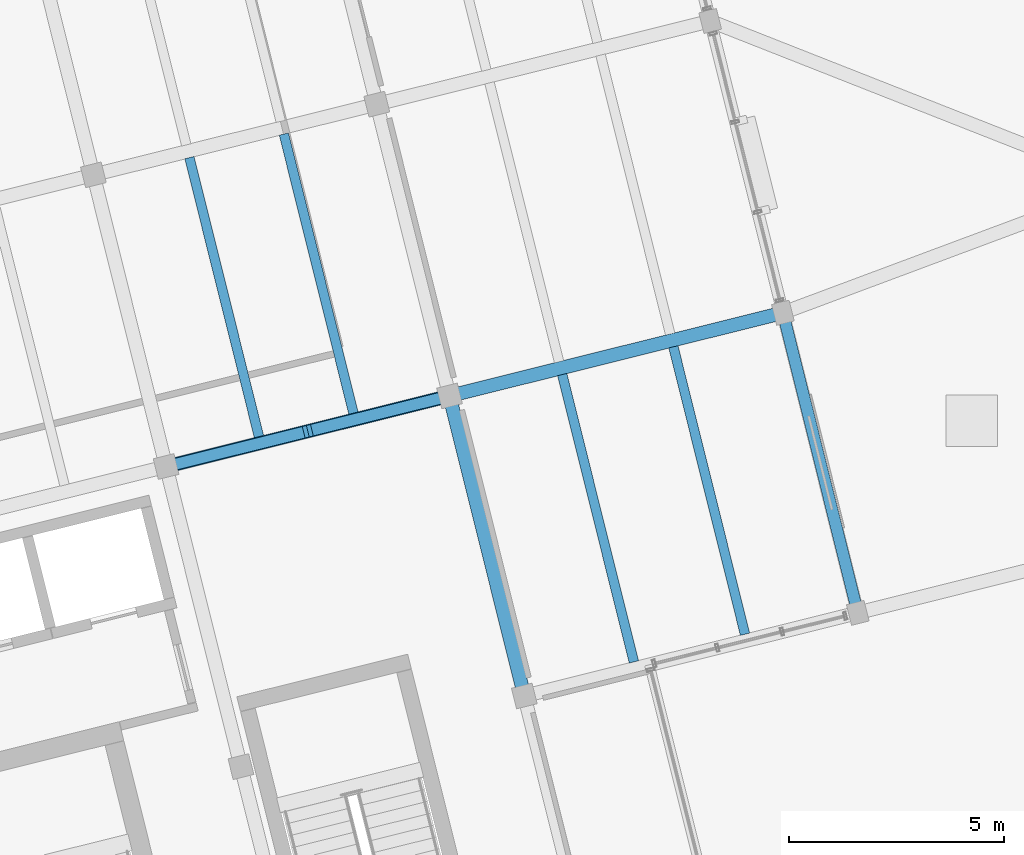
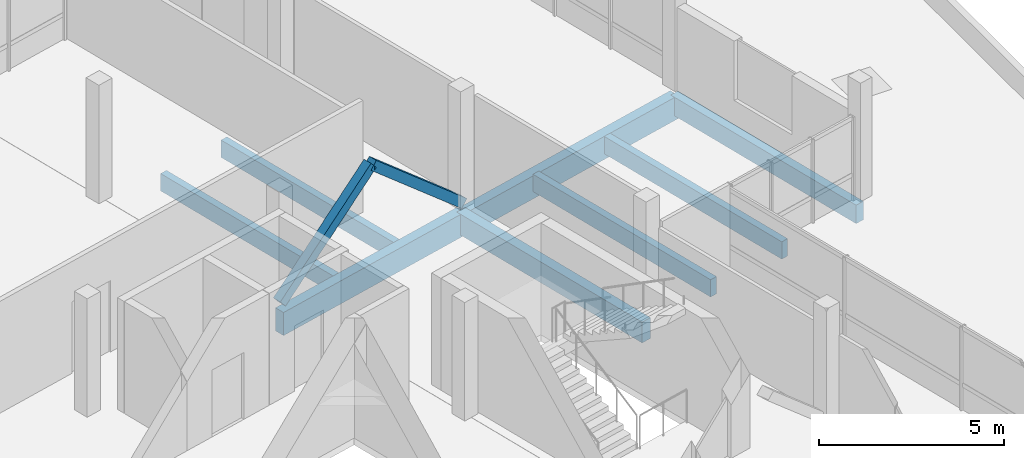
# One storey, part 17 of 37: 8 beams, 2 members.
"""IFC4 building model written with IfcOpenShell, lengths in metres."""

from ifc_helpers import new_model, si_unit, direction, frame, origin, origin_2d, place, context, subcontext, project, spatial, rectangle, extrude, material, material_profile, profile_set, type_object, element, save


model = new_model("IFC4")

# Units and contexts
model_context = context("Model", 3, precision=1e-05, world=origin(), true_north=direction((0.0, 1.0)))
body_context = subcontext(model_context, "Body", "Model", "MODEL_VIEW")
ifc_project = project(units=[si_unit("LENGTHUNIT", "METRE"), si_unit("AREAUNIT", "SQUARE_METRE"), si_unit("VOLUMEUNIT", "CUBIC_METRE"), si_unit("PLANEANGLEUNIT", "RADIAN"), si_unit("MASSUNIT", "GRAM", prefix="KILO")], contexts=[model_context])

# Site, building, storey
site_placement = place(None, origin())
site = spatial("IfcSite", under=ifc_project, at=site_placement, CompositionType="ELEMENT")
building_placement = place(site_placement, origin())
building = spatial("IfcBuilding", under=site, at=building_placement, Name="Meriwether Solvik Hall", CompositionType="ELEMENT")
storey_placement = place(building_placement, frame((0.0, 0.0, 26.10009765625)))
storey = spatial("IfcBuildingStorey", under=building, at=storey_placement, Name="L06", CompositionType="ELEMENT", Elevation=26.10009765625)

# Beams
ifc_material_1 = material(Name="Glulam Douglas-Fir 24F-V8 GL28h", Category="wood")
ifc_material_profile_1 = material_profile(ifc_material_1, rectangle(XDim=0.27294921875, YDim=0.610107421875, at=origin_2d()), Name="GLB-273X610")
ifc_profile_set_1 = profile_set([ifc_material_profile_1], Name="Glulam Douglas-Fir 24F-V8 GL28h")
beam_type_1 = type_object("IfcBeamType", Name="BM-GL-273X610", PredefinedType="SPANDREL", material=ifc_profile_set_1)
beam_1_placement = place(storey_placement, frame((107.95458984375, 65.234619140625, -0.5751953125), z_axis=(-0.241937193493, 0.970291911955, 0.0), x_axis=(-0.970291911955, -0.241937193493, 0.0)))
element("IfcBeam", 1, at=beam_1_placement, inside=storey, type_object=beam_type_1, Name="Tower Girder T7:TC-TD (L06)", PredefinedType="SPANDREL", context=body_context, shape_type="SweptSolid", body=[
    extrude(rectangle(XDim=0.27294921875, YDim=0.610107421875, at=origin_2d()), origin(), (0.0, 0.0, 1.0), 7.199951171875),
])
ifc_material_2 = material(Name="Glulam Douglas-Fir 24F-V8 GL28h", Category="wood")
ifc_material_profile_2 = material_profile(ifc_material_2, rectangle(XDim=0.31494140625, YDim=0.68505859375, at=origin_2d()), Name="GLB-315X685")
ifc_profile_set_2 = profile_set([ifc_material_profile_2], Name="Glulam Douglas-Fir 24F-V8 GL28h")
beam_type_2 = type_object("IfcBeamType", Name="BM-GL-315X685", PredefinedType="BEAM", material=ifc_profile_set_2)
beam_2_placement = place(storey_placement, frame((100.192138671875, 63.29931640625, -0.5625), z_axis=(-0.241937193493, 0.970291911955, 0.0), x_axis=(-0.970291911955, -0.241937193493, 0.0)))
element("IfcBeam", 2, at=beam_2_placement, inside=storey, type_object=beam_type_2, Name="Tower Girder T6:TC-TD (L06)", PredefinedType="BEAM", context=body_context, shape_type="SweptSolid", body=[
    extrude(rectangle(XDim=0.31494140625, YDim=0.68505859375, at=origin_2d()), origin(), (0.0, 0.0, 1.0), 7.199951171875),
])
ifc_material_3 = material(Name="Glulam Douglas-Fir 24F-V8 GL28h", Category="wood")
ifc_material_profile_3 = material_profile(ifc_material_3, rectangle(XDim=0.31494140625, YDim=0.760009765625, at=origin_2d()), Name="GLB-315X760")
ifc_profile_set_3 = profile_set([ifc_material_profile_3], Name="Glulam Douglas-Fir 24F-V8 GL28h")
beam_type_3 = type_object("IfcBeamType", Name="BM-GL-315X760", PredefinedType="BEAM", material=ifc_profile_set_3)
beam_3_placement = place(storey_placement, frame((91.852294921875, 68.640380859375, -0.60009765625), z_axis=(0.970296478685, 0.241918877831, 0.0), x_axis=(-0.241918877831, 0.970296478685, 0.0)))
element("IfcBeam", 3, at=beam_3_placement, inside=storey, type_object=beam_type_3, Name="Tower Girder TD:T5-T6 (L06)", PredefinedType="BEAM", context=body_context, shape_type="SweptSolid", body=[
    extrude(rectangle(XDim=0.31494140625, YDim=0.760009765625, at=origin_2d()), origin(), (0.0, 0.0, 1.0), 6.7998046875),
])
beam_4_placement = place(storey_placement, frame((98.4501953125, 70.285400390625, -0.650146484375), z_axis=(0.970298475929, 0.241910867076, 0.0), x_axis=(-0.241910867076, 0.970298475929, 0.0)))
element("IfcBeam", 4, at=beam_4_placement, inside=storey, type_object=beam_type_3, Name="Tower Girder TD:T6-T7 (L06)", PredefinedType="BEAM", context=body_context, shape_type="SweptSolid", body=[
    extrude(rectangle(XDim=0.31494140625, YDim=0.760009765625, at=origin_2d()), origin(), (0.0, 0.0, 1.0), 8.0),
])
ifc_material_4 = material(Name="Glulam Douglas-Fir 24F-V8 GL28h", Category="wood")
ifc_material_profile_4 = material_profile(ifc_material_4, rectangle(XDim=0.221923828125, YDim=0.570068359375, at=origin_2d()), Name="GLJ-222X570")
ifc_profile_set_4 = profile_set([ifc_material_profile_4], Name="Glulam Douglas-Fir 24F-V8 GL28h")
beam_type_4 = type_object("IfcBeamType", Name="JST-GL-222X570", PredefinedType="JOIST", material=ifc_profile_set_4)
for number, where, z_axis, x_axis, name in (
    (5, (94.0146484375, 69.336669921875, -0.505126953125), (-0.241917792922, 0.970296749179, 0.0), (-0.970296749179, -0.241917792922, 0.0), "Glulam Floor Joist T5/TD-J1 (L06)"),
    (6, (96.214111328125, 69.885009765625, -0.505126953125), (-0.241952124656, 0.970288188825, 0.0), (-0.970288188825, -0.241952124656, 0.0), "Glulam Floor Joist T5/TD-J2 (L06)"),
):
    element("IfcBeam", number, at=place(storey_placement, frame(where, z_axis=z_axis, x_axis=x_axis)), inside=storey, type_object=beam_type_4, Name=name, PredefinedType="JOIST", context=body_context, shape_type="SweptSolid", body=[
        extrude(rectangle(XDim=0.221923828125, YDim=0.570068359375, at=origin_2d()), origin(), (0.0, 0.0, 1.0), 6.695068359375),
    ])
for number, where, z_axis, x_axis, name in (
    (7, (102.74267578125, 64.09228515625, -0.505126953125), (-0.241910719241, 0.970298512787, 0.0), (-0.970298512787, -0.241910719241, 0.0), "Glulam Floor Joist T6/TC-J1 (L06)"),
    (8, (105.330078125, 64.737548828125, -0.55517578125), (-0.241910719241, 0.970298512787, 0.0), (-0.970298512787, -0.241910719241, 0.0), "Glulam Floor Joist T6/TC-J2 (L06)"),
):
    element("IfcBeam", number, at=place(storey_placement, frame(where, z_axis=z_axis, x_axis=x_axis)), inside=storey, type_object=beam_type_4, Name=name, PredefinedType="JOIST", context=body_context, shape_type="SweptSolid", body=[
        extrude(rectangle(XDim=0.221923828125, YDim=0.570068359375, at=origin_2d()), origin(), (0.0, 0.0, 1.0), 6.89501953125),
    ])

# Members
ifc_material_5 = material(Name="Glulam Douglas-Fir 24F-V8 GL28h", Category="wood")
ifc_material_profile_5 = material_profile(ifc_material_5, rectangle(XDim=0.27294921875, YDim=0.304931640625, at=origin_2d()), Name="GLM-273X305")
ifc_profile_set_5 = profile_set([ifc_material_profile_5], Name="Glulam Douglas-Fir 24F-V8 GL28h")
member_type = type_object("IfcMemberType", Name="MEM-BR-GL273", PredefinedType="BRACE", material=ifc_profile_set_5)
for number, where, z_axis, x_axis, name in (
    (9, (91.852294921875, 68.640380859375, 0.0498046875), (0.737153200771, 0.183783699652, 0.650252804943), (-0.24191045034, 0.970298579828, 0.0), "Tower Chevron Brace L06-B4A"),
    (10, (98.4501953125, 70.285400390625, 0.0498046875), (-0.737128290813, -0.183791090272, 0.650278954003), (0.241927305891, -0.970294377323, 0.0), "Tower Chevron Brace L06-B4B"),
):
    element("IfcMember", number, at=place(storey_placement, frame(where, z_axis=z_axis, x_axis=x_axis)), inside=storey, type_object=member_type, Name=name, PredefinedType="BRACE", context=body_context, shape_type="SweptSolid", body=[
        extrude(rectangle(XDim=0.27294921875, YDim=0.304931640625, at=origin_2d()), origin(), (0.0, 0.0, 1.0), 4.475341796875),
    ])

save(model, "model.ifc")
